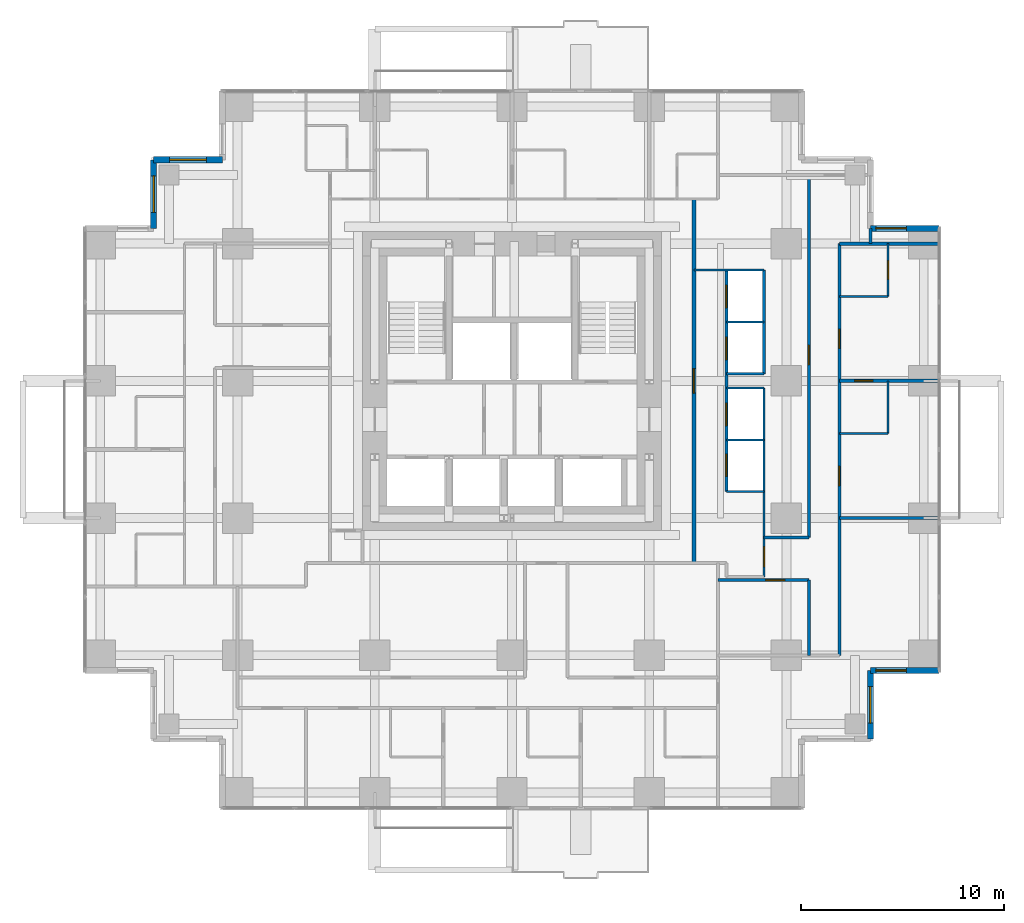
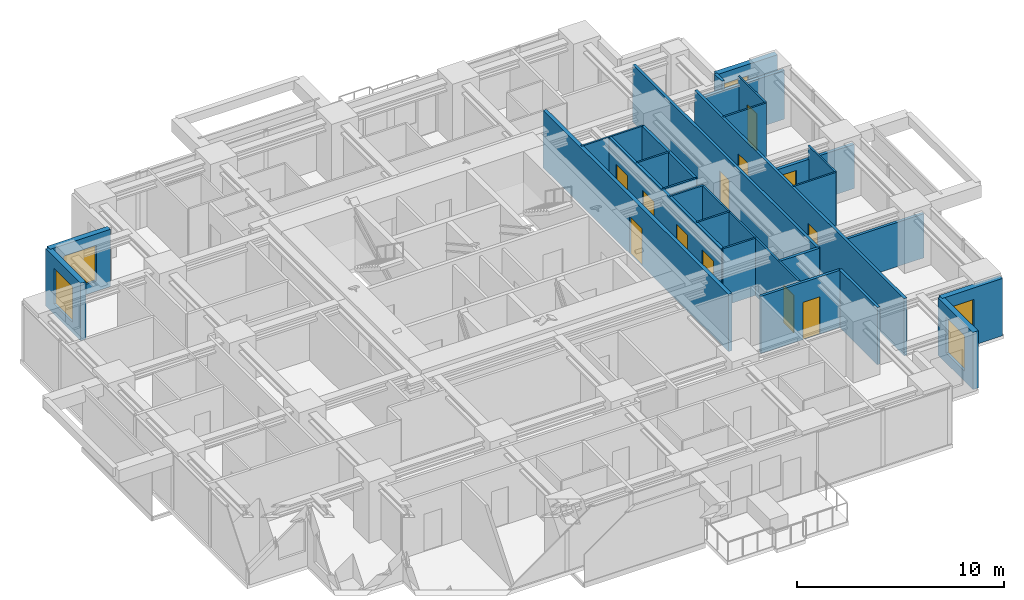
# One storey, part 9 of 12: 28 walls, 12 doors, 5 windows, 17 openings.
"""IFC4 building model written with IfcOpenShell, lengths in metres."""

from ifc_helpers import new_model, si_unit, direction, frame, frame_2d, origin, place, context, subcontext, project, spatial, rectangle, extrude, material, layer, layer_set, type_object, element, fill, save


model = new_model("IFC4")

# Units and contexts
model_context = context("Model", 3, precision=1e-05, world=origin(), true_north=direction((0.0, 1.0)))
body_context = subcontext(model_context, "Body", "Model", "MODEL_VIEW")
ifc_project = project(units=[si_unit("LENGTHUNIT", "METRE"), si_unit("AREAUNIT", "SQUARE_METRE"), si_unit("VOLUMEUNIT", "CUBIC_METRE"), si_unit("PLANEANGLEUNIT", "RADIAN"), si_unit("MASSUNIT", "GRAM", prefix="KILO")], contexts=[model_context])

# Site, building, storey
site_placement = place(None, origin())
site = spatial("IfcSite", under=ifc_project, at=site_placement, CompositionType="ELEMENT")
building_placement = place(site_placement, origin())
building = spatial("IfcBuilding", under=site, at=building_placement, Name="Nyansa Garden Tower", CompositionType="ELEMENT")
storey_placement = place(building_placement, frame((0.0, 0.0, 112.5)))
storey = spatial("IfcBuildingStorey", under=building, at=storey_placement, Name="L30", CompositionType="ELEMENT", Elevation=112.5)

# Wall, opening, door
ifc_material_1 = material(Name="Dense blockwork, plastered both sides, 55 dB", Category="masonry")
ifc_layer_1 = layer(ifc_material_1, 0.175048828125)
ifc_layer_set_1 = layer_set([ifc_layer_1], Name="Acoustic party wall PW175")
wall_type_1 = type_object("IfcWallType", Name="Acoustic party wall PW175", PredefinedType="PARTITIONING", material=ifc_layer_set_1)
wall_1_placement = place(storey_placement, frame((36.35009765625, 20.25, 0.0), z_axis=(0.0, 0.0, 1.0), x_axis=(1.0, 0.0, 0.0)))
wall_1 = element("IfcWall", 1, at=wall_1_placement, inside=storey, type_object=wall_type_1, Name="Party wall", PredefinedType="PARTITIONING", context=body_context, shape_type="SweptSolid", body=[
    extrude(rectangle(XDim=4.8837890625, YDim=0.175048828125, at=frame_2d((2.44189453125, 0.0))), origin(), (0.0, 0.0, 1.0), 2.610107421875),
])
opening_1_placement = place(wall_1_placement, frame((0.75, 0.0, 0.0)))
opening_1 = element("IfcOpeningElement", 2, at=opening_1_placement, cuts=wall_1, Name="Opening D02", PredefinedType="OPENING", context=body_context, shape_type="SweptSolid", body=[
    extrude(rectangle(XDim=0.89990234375, YDim=2.199951171875, at=frame_2d((0.449951171875, 1.10009765625))), frame((0.0, 0.097412109375, 0.0), z_axis=(0.0, -1.0, 0.0), x_axis=(1.0, 0.0, 0.0)), (0.0, 0.0, 1.0), 0.195068359375),
])
ifc_material_2 = material(Name="Timber flush door", Category="wood")
door_type_1 = type_object("IfcDoorType", Name="En-suite door D02 900x2200", OperationType="SINGLE_SWING_RIGHT", PredefinedType="DOOR", material=ifc_material_2)
door_1_placement = place(opening_1_placement, origin())
door_1 = element("IfcDoor", 3, at=door_1_placement, inside=storey, type_object=door_type_1, Name="Door L30-032", OperationType="SINGLE_SWING_RIGHT", OverallHeight=2.199951171875, OverallWidth=0.89990234375, PredefinedType="DOOR", context=body_context, shape_type="SweptSolid", body=[
    extrude(rectangle(XDim=0.89990234375, YDim=2.199951171875, at=frame_2d((0.449951171875, 1.10009765625))), frame((0.0, 0.02490234375, 0.0), z_axis=(0.0, -1.0, 0.0), x_axis=(1.0, 0.0, 0.0)), (0.0, 0.0, 1.0), 0.050048828125),
])
fill(opening_1, door_1)

# Wall
wall_2_placement = place(storey_placement, frame((36.35009765625, 27.0, 0.0), z_axis=(0.0, 0.0, 1.0), x_axis=(1.0, 0.0, 0.0)))
element("IfcWall", 4, at=wall_2_placement, inside=storey, type_object=wall_type_1, Name="Party wall", PredefinedType="PARTITIONING", context=body_context, shape_type="SweptSolid", body=[
    extrude(rectangle(XDim=4.8837890625, YDim=0.175048828125, at=frame_2d((2.44189453125, 0.0))), origin(), (0.0, 0.0, 1.0), 2.876953125),
])

# Wall, opening, door
ifc_material_3 = material(Name="Concrete blockwork, plastered, 60 minute fire resisting", Category="masonry")
ifc_layer_2 = layer(ifc_material_3, 0.199951171875)
ifc_layer_set_2 = layer_set([ifc_layer_2], Name="Corridor wall FW200")
wall_type_2 = type_object("IfcWallType", Name="Corridor wall FW200", PredefinedType="PARTITIONING", material=ifc_layer_set_2)
wall_3_placement = place(storey_placement, frame((29.199951171875, 11.300048828125, 0.0), z_axis=(0.0, 0.0, 1.0), x_axis=(0.0, 1.0, 0.0)))
wall_3 = element("IfcWall", 5, at=wall_3_placement, inside=storey, type_object=wall_type_2, Name="Corridor wall", PredefinedType="PARTITIONING", context=body_context, shape_type="SweptSolid", body=[
    extrude(rectangle(XDim=17.89990234375, YDim=0.199951171875, at=frame_2d((8.949951171875, 0.0))), origin(), (0.0, 0.0, 1.0), 3.375),
])
opening_2_placement = place(wall_3_placement, frame((8.35009765625, 0.0, 0.0)))
opening_2 = element("IfcOpeningElement", 6, at=opening_2_placement, cuts=wall_3, Name="Opening D06", PredefinedType="OPENING", context=body_context, shape_type="SweptSolid", body=[
    extrude(rectangle(XDim=1.199951171875, YDim=2.199951171875, at=frame_2d((0.60009765625, 1.10009765625))), frame((0.0, 0.10986328125, 0.0), z_axis=(0.0, -1.0, 0.0), x_axis=(1.0, 0.0, 0.0)), (0.0, 0.0, 1.0), 0.219970703125),
])
ifc_material_4 = material(Name="Steel door, 120 minute fire resisting", Category="steel")
door_type_2 = type_object("IfcDoorType", Name="Lobby door D06 1200x2200", OperationType="DOUBLE_DOOR_SINGLE_SWING", PredefinedType="DOOR", material=ifc_material_4)
door_2_placement = place(opening_2_placement, origin())
door_2 = element("IfcDoor", 7, at=door_2_placement, inside=storey, type_object=door_type_2, Name="Low-rise lift lobby door", OperationType="DOUBLE_DOOR_SINGLE_SWING", OverallHeight=2.199951171875, OverallWidth=1.199951171875, PredefinedType="DOOR", context=body_context, shape_type="SweptSolid", body=[
    extrude(rectangle(XDim=1.199951171875, YDim=2.199951171875, at=frame_2d((0.60009765625, 1.10009765625))), frame((0.0, 0.02490234375, 0.0), z_axis=(0.0, -1.0, 0.0), x_axis=(1.0, 0.0, 0.0)), (0.0, 0.0, 1.0), 0.050048828125),
])
fill(opening_2, door_2)

# Walls
ifc_material_5 = material(Name="Steel-stud shaft wall, two layers fire-rated board, EI 120", Category="steel")
ifc_layer_3 = layer(ifc_material_5, 0.10009765625)
ifc_layer_set_3 = layer_set([ifc_layer_3], Name="Lift shaft wall SW100")
wall_type_3 = type_object("IfcWallType", Name="Lift shaft wall SW100", PredefinedType="SHEAR", material=ifc_layer_set_3)
wall_4_placement = place(storey_placement, frame((29.199951171875, 25.699951171875, 0.0), z_axis=(0.0, 0.0, 1.0), x_axis=(1.0, 0.0, 0.0)))
element("IfcWall", 8, at=wall_4_placement, inside=storey, type_object=wall_type_3, Name="Lift shaft wall", PredefinedType="SHEAR", context=body_context, shape_type="SweptSolid", body=[
    extrude(rectangle(XDim=3.449951171875, YDim=0.10009765625, at=frame_2d((1.72509765625, 0.0))), origin(), (0.0, 0.0, 1.0), 3.375),
])
for number, where, z_axis, x_axis, name in (
    (9, (30.800048828125, 14.800048828125, 0.0), (0.0, 0.0, 1.0), (1.0, 0.0, 0.0), "Lift shaft wall"),
    (10, (30.800048828125, 17.35009765625, 0.0), (0.0, 0.0, 1.0), (1.0, 0.0, 0.0), "Lift shaft wall"),
    (11, (30.800048828125, 19.89990234375, 0.0), (0.0, 0.0, 1.0), (1.0, 0.0, 0.0), "Lift shaft wall"),
    (12, (30.800048828125, 20.60009765625, 0.0), (0.0, 0.0, 1.0), (1.0, 0.0, 0.0), "Lift shaft wall"),
    (13, (30.800048828125, 23.14990234375, 0.0), (0.0, 0.0, 1.0), (1.0, 0.0, 0.0), "Lift shaft wall"),
):
    element("IfcWall", number, at=place(storey_placement, frame(where, z_axis=z_axis, x_axis=x_axis)), inside=storey, type_object=wall_type_3, Name=name, PredefinedType="SHEAR", context=body_context, shape_type="SweptSolid", body=[
        extrude(rectangle(XDim=1.849853515625, YDim=0.10009765625, at=frame_2d((0.9248046875, 0.0))), origin(), (0.0, 0.0, 1.0), 3.375),
    ])

# Wall, opening, door
wall_5_placement = place(storey_placement, frame((32.64990234375, 10.60009765625, 0.0), z_axis=(0.0, 0.0, 1.0), x_axis=(0.0, 1.0, 0.0)))
wall_5 = element("IfcWall", 14, at=wall_5_placement, inside=storey, type_object=wall_type_3, Name="Lift shaft wall", PredefinedType="SHEAR", context=body_context, shape_type="SweptSolid", body=[
    extrude(rectangle(XDim=9.2998046875, YDim=0.10009765625, at=frame_2d((4.64990234375, 0.0))), origin(), (0.0, 0.0, 1.0), 3.375),
])
opening_3_placement = place(wall_5_placement, frame((0.5, 0.0, 0.0)))
opening_3 = element("IfcOpeningElement", 15, at=opening_3_placement, cuts=wall_5, Name="Opening D03", PredefinedType="OPENING", context=body_context, shape_type="SweptSolid", body=[
    extrude(rectangle(XDim=1.0, YDim=2.199951171875, at=frame_2d((0.5, 1.10009765625))), frame((0.0, 0.06005859375, 0.0), z_axis=(0.0, -1.0, 0.0), x_axis=(1.0, 0.0, 0.0)), (0.0, 0.0, 1.0), 0.1201171875),
])
ifc_material_6 = material(Name="Timber flush door, 60 minute fire resisting", Category="wood")
door_type_3 = type_object("IfcDoorType", Name="Cluster entrance door D03 1000x2200", OperationType="SINGLE_SWING_LEFT", PredefinedType="DOOR", material=ifc_material_6)
door_3_placement = place(opening_3_placement, origin())
door_3 = element("IfcDoor", 16, at=door_3_placement, inside=storey, type_object=door_type_3, Name="Door L30-033", OperationType="SINGLE_SWING_LEFT", OverallHeight=2.199951171875, OverallWidth=1.0, PredefinedType="DOOR", context=body_context, shape_type="SweptSolid", body=[
    extrude(rectangle(XDim=1.0, YDim=2.199951171875, at=frame_2d((0.5, 1.10009765625))), frame((0.0, 0.02490234375, 0.0), z_axis=(0.0, -1.0, 0.0), x_axis=(1.0, 0.0, 0.0)), (0.0, 0.0, 1.0), 0.050048828125),
])
fill(opening_3, door_3)

ifc_material_7 = material(Name="Blockwork, plastered both sides", Category="masonry")
ifc_layer_4 = layer(ifc_material_7, 0.14990234375)
ifc_layer_set_4 = layer_set([ifc_layer_4], Name="Partition PW150")
wall_type_4 = type_object("IfcWallType", Name="Partition PW150", PredefinedType="PARTITIONING", material=ifc_layer_set_4)
wall_6_placement = place(storey_placement, frame((30.375, 10.449951171875, 0.0), z_axis=(0.0, 0.0, 1.0), x_axis=(1.0, 0.0, 0.0)))
wall_6 = element("IfcWall", 17, at=wall_6_placement, inside=storey, type_object=wall_type_4, Name="Partition", PredefinedType="PARTITIONING", context=body_context, shape_type="SweptSolid", body=[
    extrude(rectangle(XDim=4.47509765625, YDim=0.14990234375, at=frame_2d((2.237548828125, 0.0))), origin(), (0.0, 0.0, 1.0), 3.375),
])
opening_4_placement = place(wall_6_placement, frame((2.35009765625, 0.0, 0.0)))
opening_4 = element("IfcOpeningElement", 18, at=opening_4_placement, cuts=wall_6, Name="Opening D01", PredefinedType="OPENING", context=body_context, shape_type="SweptSolid", body=[
    extrude(rectangle(XDim=0.949951171875, YDim=2.199951171875, at=frame_2d((0.47509765625, 1.10009765625))), frame((0.0, 0.0849609375, 0.0), z_axis=(0.0, -1.0, 0.0), x_axis=(1.0, 0.0, 0.0)), (0.0, 0.0, 1.0), 0.169921875),
])
ifc_material_8 = material(Name="Timber flush door, 30 minute fire resisting", Category="wood")
door_type_4 = type_object("IfcDoorType", Name="Bedroom door D01 950x2200", OperationType="SINGLE_SWING_LEFT", PredefinedType="DOOR", material=ifc_material_8)
door_4_placement = place(opening_4_placement, origin())
door_4 = element("IfcDoor", 19, at=door_4_placement, inside=storey, type_object=door_type_4, Name="Door L30-035", OperationType="SINGLE_SWING_LEFT", OverallHeight=2.199951171875, OverallWidth=0.949951171875, PredefinedType="DOOR", context=body_context, shape_type="SweptSolid", body=[
    extrude(rectangle(XDim=0.949951171875, YDim=2.199951171875, at=frame_2d((0.47509765625, 1.10009765625))), frame((0.0, 0.02490234375, 0.0), z_axis=(0.0, -1.0, 0.0), x_axis=(1.0, 0.0, 0.0)), (0.0, 0.0, 1.0), 0.050048828125),
])
fill(opening_4, door_4)

# Wall, openings, doors
wall_7_placement = place(storey_placement, frame((30.800048828125, 14.800048828125, 0.0), z_axis=(0.0, 0.0, 1.0), x_axis=(0.0, 1.0, 0.0)))
wall_7 = element("IfcWall", 20, at=wall_7_placement, inside=storey, type_object=wall_type_4, Name="Partition", PredefinedType="PARTITIONING", context=body_context, shape_type="SweptSolid", body=[
    extrude(rectangle(XDim=10.89990234375, YDim=0.14990234375, at=frame_2d((5.449951171875, 0.0))), origin(), (0.0, 0.0, 1.0), 3.375),
])
opening_5_placement = place(wall_7_placement, frame((0.75, 0.0, 0.0)))
opening_5 = element("IfcOpeningElement", 21, at=opening_5_placement, cuts=wall_7, Name="Opening LD-A", PredefinedType="OPENING", context=body_context, shape_type="SweptSolid", body=[
    extrude(rectangle(XDim=1.10009765625, YDim=2.199951171875, at=frame_2d((0.550048828125, 1.10009765625))), frame((0.0, 0.0849609375, 0.0), z_axis=(0.0, -1.0, 0.0), x_axis=(1.0, 0.0, 0.0)), (0.0, 0.0, 1.0), 0.169921875),
])
opening_6_placement = place(wall_7_placement, frame((3.25, 0.0, 0.0)))
opening_6 = element("IfcOpeningElement", 22, at=opening_6_placement, cuts=wall_7, Name="Opening LD-A", PredefinedType="OPENING", context=body_context, shape_type="SweptSolid", body=[
    extrude(rectangle(XDim=1.10009765625, YDim=2.199951171875, at=frame_2d((0.550048828125, 1.10009765625))), frame((0.0, 0.0849609375, 0.0), z_axis=(0.0, -1.0, 0.0), x_axis=(1.0, 0.0, 0.0)), (0.0, 0.0, 1.0), 0.169921875),
])
opening_7_placement = place(wall_7_placement, frame((6.5, 0.0, 0.0)))
opening_7 = element("IfcOpeningElement", 23, at=opening_7_placement, cuts=wall_7, Name="Opening LD-A", PredefinedType="OPENING", context=body_context, shape_type="SweptSolid", body=[
    extrude(rectangle(XDim=1.10009765625, YDim=2.199951171875, at=frame_2d((0.550048828125, 1.10009765625))), frame((0.0, 0.0849609375, 0.0), z_axis=(0.0, -1.0, 0.0), x_axis=(1.0, 0.0, 0.0)), (0.0, 0.0, 1.0), 0.169921875),
])
opening_8_placement = place(wall_7_placement, frame((9.050048828125, 0.0, 0.0)))
opening_8 = element("IfcOpeningElement", 24, at=opening_8_placement, cuts=wall_7, Name="Opening LD-A", PredefinedType="OPENING", context=body_context, shape_type="SweptSolid", body=[
    extrude(rectangle(XDim=1.10009765625, YDim=2.199951171875, at=frame_2d((0.550048828125, 1.10009765625))), frame((0.0, 0.0849609375, 0.0), z_axis=(0.0, -1.0, 0.0), x_axis=(1.0, 0.0, 0.0)), (0.0, 0.0, 1.0), 0.169921875),
])
ifc_material_9 = material(Name="Stainless steel centre-opening landing door of the low-rise lift, E 120", Category="steel")
door_type_5 = type_object("IfcDoorType", Name="Lift landing door LD-A 1100x2200", OperationType="DOUBLE_DOOR_SLIDING", PredefinedType="DOOR", material=ifc_material_9)
door_5_placement = place(opening_5_placement, origin())
door_5 = element("IfcDoor", 25, at=door_5_placement, inside=storey, type_object=door_type_5, Name="Landing door A1", OperationType="DOUBLE_DOOR_SLIDING", OverallHeight=2.199951171875, OverallWidth=1.10009765625, PredefinedType="DOOR", context=body_context, shape_type="SweptSolid", body=[
    extrude(rectangle(XDim=1.10009765625, YDim=2.199951171875, at=frame_2d((0.550048828125, 1.10009765625))), frame((0.0, 0.02490234375, 0.0), z_axis=(0.0, -1.0, 0.0), x_axis=(1.0, 0.0, 0.0)), (0.0, 0.0, 1.0), 0.050048828125),
])
fill(opening_5, door_5)
door_6_placement = place(opening_6_placement, origin())
door_6 = element("IfcDoor", 26, at=door_6_placement, inside=storey, type_object=door_type_5, Name="Landing door A2", OperationType="DOUBLE_DOOR_SLIDING", OverallHeight=2.199951171875, OverallWidth=1.10009765625, PredefinedType="DOOR", context=body_context, shape_type="SweptSolid", body=[
    extrude(rectangle(XDim=1.10009765625, YDim=2.199951171875, at=frame_2d((0.550048828125, 1.10009765625))), frame((0.0, 0.02490234375, 0.0), z_axis=(0.0, -1.0, 0.0), x_axis=(1.0, 0.0, 0.0)), (0.0, 0.0, 1.0), 0.050048828125),
])
fill(opening_6, door_6)
door_7_placement = place(opening_7_placement, origin())
door_7 = element("IfcDoor", 27, at=door_7_placement, inside=storey, type_object=door_type_5, Name="Landing door A3", OperationType="DOUBLE_DOOR_SLIDING", OverallHeight=2.199951171875, OverallWidth=1.10009765625, PredefinedType="DOOR", context=body_context, shape_type="SweptSolid", body=[
    extrude(rectangle(XDim=1.10009765625, YDim=2.199951171875, at=frame_2d((0.550048828125, 1.10009765625))), frame((0.0, 0.02490234375, 0.0), z_axis=(0.0, -1.0, 0.0), x_axis=(1.0, 0.0, 0.0)), (0.0, 0.0, 1.0), 0.050048828125),
])
fill(opening_7, door_7)
door_8_placement = place(opening_8_placement, origin())
door_8 = element("IfcDoor", 28, at=door_8_placement, inside=storey, type_object=door_type_5, Name="Landing door A4", OperationType="DOUBLE_DOOR_SLIDING", OverallHeight=2.199951171875, OverallWidth=1.10009765625, PredefinedType="DOOR", context=body_context, shape_type="SweptSolid", body=[
    extrude(rectangle(XDim=1.10009765625, YDim=2.199951171875, at=frame_2d((0.550048828125, 1.10009765625))), frame((0.0, 0.02490234375, 0.0), z_axis=(0.0, -1.0, 0.0), x_axis=(1.0, 0.0, 0.0)), (0.0, 0.0, 1.0), 0.050048828125),
])
fill(opening_8, door_8)

# Walls
wall_8_placement = place(storey_placement, frame((32.64990234375, 12.550048828125, 0.0), z_axis=(0.0, 0.0, 1.0), x_axis=(1.0, 0.0, 0.0)))
element("IfcWall", 29, at=wall_8_placement, inside=storey, type_object=wall_type_4, Name="Partition", PredefinedType="PARTITIONING", context=body_context, shape_type="SweptSolid", body=[
    extrude(rectangle(XDim=2.2001953125, YDim=0.14990234375, at=frame_2d((1.10009765625, 0.0))), origin(), (0.0, 0.0, 1.0), 3.375),
])
wall_9_placement = place(storey_placement, frame((32.64990234375, 20.60009765625, 0.0), z_axis=(0.0, 0.0, 1.0), x_axis=(0.0, 1.0, 0.0)))
element("IfcWall", 30, at=wall_9_placement, inside=storey, type_object=wall_type_4, Name="Partition", PredefinedType="PARTITIONING", context=body_context, shape_type="SweptSolid", body=[
    extrude(rectangle(XDim=5.099853515625, YDim=0.14990234375, at=frame_2d((2.5498046875, 0.0))), origin(), (0.0, 0.0, 1.0), 3.375),
])
wall_10_placement = place(storey_placement, frame((34.85009765625, 6.75, 0.0), z_axis=(0.0, 0.0, 1.0), x_axis=(0.0, 1.0, 0.0)))
element("IfcWall", 31, at=wall_10_placement, inside=storey, type_object=wall_type_4, Name="Partition", PredefinedType="PARTITIONING", context=body_context, shape_type="SweptSolid", body=[
    extrude(rectangle(XDim=3.699951171875, YDim=0.14990234375, at=frame_2d((1.85009765625, 0.0))), origin(), (0.0, 0.0, 1.0), 3.375),
])

# Wall, opening, door
wall_11_placement = place(storey_placement, frame((34.85009765625, 12.550048828125, 0.0), z_axis=(0.0, 0.0, 1.0), x_axis=(0.0, 1.0, 0.0)))
wall_11 = element("IfcWall", 32, at=wall_11_placement, inside=storey, type_object=wall_type_4, Name="Partition", PredefinedType="PARTITIONING", context=body_context, shape_type="SweptSolid", body=[
    extrude(rectangle(XDim=17.824951171875, YDim=0.14990234375, at=frame_2d((8.91259765625, 0.0))), origin(), (0.0, 0.0, 1.0), 3.375),
])
opening_9_placement = place(wall_11_placement, frame((8.5, 0.0, 0.0)))
opening_9 = element("IfcOpeningElement", 33, at=opening_9_placement, cuts=wall_11, Name="Opening D01", PredefinedType="OPENING", context=body_context, shape_type="SweptSolid", body=[
    extrude(rectangle(XDim=0.949951171875, YDim=2.199951171875, at=frame_2d((0.47509765625, 1.10009765625))), frame((0.0, 0.0849609375, 0.0), z_axis=(0.0, -1.0, 0.0), x_axis=(1.0, 0.0, 0.0)), (0.0, 0.0, 1.0), 0.169921875),
])
door_9_placement = place(opening_9_placement, origin())
door_9 = element("IfcDoor", 34, at=door_9_placement, inside=storey, type_object=door_type_4, Name="Door L30-034", OperationType="SINGLE_SWING_LEFT", OverallHeight=2.199951171875, OverallWidth=0.949951171875, PredefinedType="DOOR", context=body_context, shape_type="SweptSolid", body=[
    extrude(rectangle(XDim=0.949951171875, YDim=2.199951171875, at=frame_2d((0.47509765625, 1.10009765625))), frame((0.0, 0.02490234375, 0.0), z_axis=(0.0, -1.0, 0.0), x_axis=(1.0, 0.0, 0.0)), (0.0, 0.0, 1.0), 0.050048828125),
])
fill(opening_9, door_9)

# Wall, openings, doors
wall_12_placement = place(storey_placement, frame((36.35009765625, 6.75, 0.0), z_axis=(0.0, 0.0, 1.0), x_axis=(0.0, 1.0, 0.0)))
wall_12 = element("IfcWall", 35, at=wall_12_placement, inside=storey, type_object=wall_type_4, Name="Partition", PredefinedType="PARTITIONING", context=body_context, shape_type="SweptSolid", body=[
    extrude(rectangle(XDim=20.25, YDim=0.14990234375, at=frame_2d((10.125, 0.0))), origin(), (0.0, 0.0, 1.0), 3.375),
])
opening_10_placement = place(wall_12_placement, frame((15.10009765625, 0.0, 0.0)))
opening_10 = element("IfcOpeningElement", 36, at=opening_10_placement, cuts=wall_12, Name="Opening D14", PredefinedType="OPENING", context=body_context, shape_type="SweptSolid", body=[
    extrude(rectangle(XDim=0.949951171875, YDim=2.199951171875, at=frame_2d((0.47509765625, 1.10009765625))), frame((0.0, 0.0849609375, 0.0), z_axis=(0.0, -1.0, 0.0), x_axis=(1.0, 0.0, 0.0)), (0.0, 0.0, 1.0), 0.169921875),
])
opening_11_placement = place(wall_12_placement, frame((8.35009765625, 0.0, 0.0)))
opening_11 = element("IfcOpeningElement", 37, at=opening_11_placement, cuts=wall_12, Name="Opening D14", PredefinedType="OPENING", context=body_context, shape_type="SweptSolid", body=[
    extrude(rectangle(XDim=0.949951171875, YDim=2.199951171875, at=frame_2d((0.47509765625, 1.10009765625))), frame((0.0, 0.0849609375, 0.0), z_axis=(0.0, -1.0, 0.0), x_axis=(1.0, 0.0, 0.0)), (0.0, 0.0, 1.0), 0.169921875),
])
ifc_material_10 = material(Name="Timber flush door, 60 minute fire resisting, self-closing", Category="wood")
door_type_6 = type_object("IfcDoorType", Name="Studio entrance door D14 950x2200", OperationType="SINGLE_SWING_LEFT", PredefinedType="DOOR", material=ifc_material_10)
door_10_placement = place(opening_10_placement, origin())
door_10 = element("IfcDoor", 38, at=door_10_placement, inside=storey, type_object=door_type_6, Name="Door L30-029", OperationType="SINGLE_SWING_LEFT", OverallHeight=2.199951171875, OverallWidth=0.949951171875, PredefinedType="DOOR", context=body_context, shape_type="SweptSolid", body=[
    extrude(rectangle(XDim=0.949951171875, YDim=2.199951171875, at=frame_2d((0.47509765625, 1.10009765625))), frame((0.0, 0.02490234375, 0.0), z_axis=(0.0, -1.0, 0.0), x_axis=(1.0, 0.0, 0.0)), (0.0, 0.0, 1.0), 0.050048828125),
])
fill(opening_10, door_10)
door_11_placement = place(opening_11_placement, origin())
door_11 = element("IfcDoor", 39, at=door_11_placement, inside=storey, type_object=door_type_6, Name="Door L30-031", OperationType="SINGLE_SWING_LEFT", OverallHeight=2.199951171875, OverallWidth=0.949951171875, PredefinedType="DOOR", context=body_context, shape_type="SweptSolid", body=[
    extrude(rectangle(XDim=0.949951171875, YDim=2.199951171875, at=frame_2d((0.47509765625, 1.10009765625))), frame((0.0, 0.02490234375, 0.0), z_axis=(0.0, -1.0, 0.0), x_axis=(1.0, 0.0, 0.0)), (0.0, 0.0, 1.0), 0.050048828125),
])
fill(opening_11, door_11)

# Walls
wall_13_placement = place(storey_placement, frame((36.35009765625, 13.5, 0.0), z_axis=(0.0, 0.0, 1.0), x_axis=(1.0, 0.0, 0.0)))
element("IfcWall", 40, at=wall_13_placement, inside=storey, type_object=wall_type_4, Name="Partition", PredefinedType="PARTITIONING", context=body_context, shape_type="SweptSolid", body=[
    extrude(rectangle(XDim=4.8837890625, YDim=0.14990234375, at=frame_2d((2.44189453125, 0.0))), origin(), (0.0, 0.0, 1.0), 2.610107421875),
])
wall_14_placement = place(storey_placement, frame((37.875, 27.0, 0.0), z_axis=(0.0, 0.0, 1.0), x_axis=(0.0, 1.0, 0.0)))
element("IfcWall", 41, at=wall_14_placement, inside=storey, type_object=wall_type_4, Name="Partition", PredefinedType="PARTITIONING", context=body_context, shape_type="SweptSolid", body=[
    extrude(rectangle(XDim=0.73388671875, YDim=0.14990234375, at=frame_2d((0.366943359375, 0.0))), origin(), (0.0, 0.0, 1.0), 3.375),
])

# Wall, opening, window
ifc_material_11 = material(Name="Turquoise glazed tile on concrete blockwork", Category="masonry")
ifc_layer_5 = layer(ifc_material_11, 0.300048828125)
ifc_layer_set_5 = layer_set([ifc_layer_5], Name="Tiled corner wall TW300")
wall_type_5 = type_object("IfcWallType", Name="Tiled corner wall TW300", PredefinedType="SOLIDWALL", material=ifc_layer_set_5)
wall_15_placement = place(storey_placement, frame((41.25, 27.75, 0.0), z_axis=(0.0, 0.0, 1.0), x_axis=(-1.0, 0.0, 0.0)))
wall_15 = element("IfcWall", 42, at=wall_15_placement, inside=storey, type_object=wall_type_5, Name="Tiled corner wall L30", PredefinedType="SOLIDWALL", context=body_context, shape_type="SweptSolid", body=[
    extrude(rectangle(XDim=3.375, YDim=0.300048828125, at=frame_2d((1.6875, 0.0))), origin(), (0.0, 0.0, 1.0), 3.375),
])
opening_12_placement = place(wall_15_placement, frame((1.607421875, 0.0, 0.89990234375)))
opening_12 = element("IfcOpeningElement", 43, at=opening_12_placement, cuts=wall_15, Name="Opening W1", PredefinedType="OPENING", context=body_context, shape_type="SweptSolid", body=[
    extrude(rectangle(XDim=1.5, YDim=1.800048828125, at=frame_2d((0.75, 0.89990234375))), frame((0.0, 0.159912109375, 0.0), z_axis=(0.0, -1.0, 0.0), x_axis=(1.0, 0.0, 0.0)), (0.0, 0.0, 1.0), 0.320068359375),
])
ifc_material_12 = material(Name="Black aluminium frame, dark tinted double glazing", Category="aluminium")
window_type_1 = type_object("IfcWindowType", Name="Window W1 1500x1800", PartitioningType="SINGLE_PANEL", PredefinedType="WINDOW", material=ifc_material_12)
window_1_placement = place(opening_12_placement, origin())
window_1 = element("IfcWindow", 44, at=window_1_placement, inside=storey, type_object=window_type_1, Name="Corner window L30", OverallHeight=1.800048828125, OverallWidth=1.5, PartitioningType="SINGLE_PANEL", PredefinedType="WINDOW", context=body_context, shape_type="SweptSolid", body=[
    extrude(rectangle(XDim=1.5, YDim=1.800048828125, at=frame_2d((0.75, 0.89990234375))), frame((0.0, 0.030029296875, 0.0), z_axis=(0.0, -1.0, 0.0), x_axis=(1.0, 0.0, 0.0)), (0.0, 0.0, 1.0), 0.06005859375),
])
fill(opening_12, window_1)

wall_16_placement = place(storey_placement, frame((6.0, 31.125, 0.0), z_axis=(0.0, 0.0, 1.0), x_axis=(-1.0, 0.0, 0.0)))
wall_16 = element("IfcWall", 45, at=wall_16_placement, inside=storey, type_object=wall_type_5, Name="Tiled corner wall L30", PredefinedType="SOLIDWALL", context=body_context, shape_type="SweptSolid", body=[
    extrude(rectangle(XDim=3.375, YDim=0.300048828125, at=frame_2d((1.6875, 0.0))), origin(), (0.0, 0.0, 1.0), 3.375),
])
opening_13_placement = place(wall_16_placement, frame((0.78759765625, 0.0, 0.60009765625)))
opening_13 = element("IfcOpeningElement", 46, at=opening_13_placement, cuts=wall_16, Name="Opening W2", PredefinedType="OPENING", context=body_context, shape_type="SweptSolid", body=[
    extrude(rectangle(XDim=1.800048828125, YDim=2.10009765625, at=frame_2d((0.89990234375, 1.050048828125))), frame((0.0, 0.159912109375, 0.0), z_axis=(0.0, -1.0, 0.0), x_axis=(1.0, 0.0, 0.0)), (0.0, 0.0, 1.0), 0.320068359375),
])
ifc_material_13 = material(Name="Black aluminium frame, dark tinted double glazing", Category="aluminium")
window_type_2 = type_object("IfcWindowType", Name="Window W2 1800x2100", PartitioningType="SINGLE_PANEL", PredefinedType="WINDOW", material=ifc_material_13)
window_2_placement = place(opening_13_placement, origin())
window_2 = element("IfcWindow", 47, at=window_2_placement, inside=storey, type_object=window_type_2, Name="Corner window L30", OverallHeight=2.10009765625, OverallWidth=1.800048828125, PartitioningType="SINGLE_PANEL", PredefinedType="WINDOW", context=body_context, shape_type="SweptSolid", body=[
    extrude(rectangle(XDim=1.800048828125, YDim=2.10009765625, at=frame_2d((0.89990234375, 1.050048828125))), frame((0.0, 0.030029296875, 0.0), z_axis=(0.0, -1.0, 0.0), x_axis=(1.0, 0.0, 0.0)), (0.0, 0.0, 1.0), 0.06005859375),
])
fill(opening_13, window_2)

wall_17_placement = place(storey_placement, frame((2.625, 31.125, 0.0), z_axis=(0.0, 0.0, 1.0), x_axis=(0.0, -1.0, 0.0)))
wall_17 = element("IfcWall", 48, at=wall_17_placement, inside=storey, type_object=wall_type_5, Name="Tiled corner wall L30", PredefinedType="SOLIDWALL", context=body_context, shape_type="SweptSolid", body=[
    extrude(rectangle(XDim=3.375, YDim=0.300048828125, at=frame_2d((1.6875, 0.0))), origin(), (0.0, 0.0, 1.0), 3.375),
])
opening_14_placement = place(wall_17_placement, frame((0.78759765625, 0.0, 0.60009765625)))
opening_14 = element("IfcOpeningElement", 49, at=opening_14_placement, cuts=wall_17, Name="Opening W2", PredefinedType="OPENING", context=body_context, shape_type="SweptSolid", body=[
    extrude(rectangle(XDim=1.800048828125, YDim=2.10009765625, at=frame_2d((0.89990234375, 1.050048828125))), frame((0.0, 0.159912109375, 0.0), z_axis=(0.0, -1.0, 0.0), x_axis=(1.0, 0.0, 0.0)), (0.0, 0.0, 1.0), 0.320068359375),
])
window_3_placement = place(opening_14_placement, origin())
window_3 = element("IfcWindow", 50, at=window_3_placement, inside=storey, type_object=window_type_2, Name="Corner window L30", OverallHeight=2.10009765625, OverallWidth=1.800048828125, PartitioningType="SINGLE_PANEL", PredefinedType="WINDOW", context=body_context, shape_type="SweptSolid", body=[
    extrude(rectangle(XDim=1.800048828125, YDim=2.10009765625, at=frame_2d((0.89990234375, 1.050048828125))), frame((0.0, 0.030029296875, 0.0), z_axis=(0.0, -1.0, 0.0), x_axis=(1.0, 0.0, 0.0)), (0.0, 0.0, 1.0), 0.06005859375),
])
fill(opening_14, window_3)

wall_18_placement = place(storey_placement, frame((37.875, 2.625, 0.0), z_axis=(0.0, 0.0, 1.0), x_axis=(0.0, 1.0, 0.0)))
wall_18 = element("IfcWall", 51, at=wall_18_placement, inside=storey, type_object=wall_type_5, Name="Tiled corner wall L30", PredefinedType="SOLIDWALL", context=body_context, shape_type="SweptSolid", body=[
    extrude(rectangle(XDim=3.375, YDim=0.300048828125, at=frame_2d((1.6875, 0.0))), origin(), (0.0, 0.0, 1.0), 3.375),
])
opening_15_placement = place(wall_18_placement, frame((0.78759765625, 0.0, 0.60009765625)))
opening_15 = element("IfcOpeningElement", 52, at=opening_15_placement, cuts=wall_18, Name="Opening W2", PredefinedType="OPENING", context=body_context, shape_type="SweptSolid", body=[
    extrude(rectangle(XDim=1.800048828125, YDim=2.10009765625, at=frame_2d((0.89990234375, 1.050048828125))), frame((0.0, 0.159912109375, 0.0), z_axis=(0.0, -1.0, 0.0), x_axis=(1.0, 0.0, 0.0)), (0.0, 0.0, 1.0), 0.320068359375),
])
window_4_placement = place(opening_15_placement, origin())
window_4 = element("IfcWindow", 53, at=window_4_placement, inside=storey, type_object=window_type_2, Name="Corner window L30", OverallHeight=2.10009765625, OverallWidth=1.800048828125, PartitioningType="SINGLE_PANEL", PredefinedType="WINDOW", context=body_context, shape_type="SweptSolid", body=[
    extrude(rectangle(XDim=1.800048828125, YDim=2.10009765625, at=frame_2d((0.89990234375, 1.050048828125))), frame((0.0, 0.030029296875, 0.0), z_axis=(0.0, -1.0, 0.0), x_axis=(1.0, 0.0, 0.0)), (0.0, 0.0, 1.0), 0.06005859375),
])
fill(opening_15, window_4)

wall_19_placement = place(storey_placement, frame((37.875, 6.0, 0.0), z_axis=(0.0, 0.0, 1.0), x_axis=(1.0, 0.0, 0.0)))
wall_19 = element("IfcWall", 54, at=wall_19_placement, inside=storey, type_object=wall_type_5, Name="Tiled corner wall L30", PredefinedType="SOLIDWALL", context=body_context, shape_type="SweptSolid", body=[
    extrude(rectangle(XDim=3.375, YDim=0.300048828125, at=frame_2d((1.6875, 0.0))), origin(), (0.0, 0.0, 1.0), 3.375),
])
opening_16_placement = place(wall_19_placement, frame((0.267578125, 0.0, 0.89990234375)))
opening_16 = element("IfcOpeningElement", 55, at=opening_16_placement, cuts=wall_19, Name="Opening W1", PredefinedType="OPENING", context=body_context, shape_type="SweptSolid", body=[
    extrude(rectangle(XDim=1.5, YDim=1.800048828125, at=frame_2d((0.75, 0.89990234375))), frame((0.0, 0.159912109375, 0.0), z_axis=(0.0, -1.0, 0.0), x_axis=(1.0, 0.0, 0.0)), (0.0, 0.0, 1.0), 0.320068359375),
])
window_5_placement = place(opening_16_placement, origin())
window_5 = element("IfcWindow", 56, at=window_5_placement, inside=storey, type_object=window_type_1, Name="Corner window L30", OverallHeight=1.800048828125, OverallWidth=1.5, PartitioningType="SINGLE_PANEL", PredefinedType="WINDOW", context=body_context, shape_type="SweptSolid", body=[
    extrude(rectangle(XDim=1.5, YDim=1.800048828125, at=frame_2d((0.75, 0.89990234375))), frame((0.0, 0.030029296875, 0.0), z_axis=(0.0, -1.0, 0.0), x_axis=(1.0, 0.0, 0.0)), (0.0, 0.0, 1.0), 0.06005859375),
])
fill(opening_16, window_5)

# Walls
ifc_material_14 = material(Name="Moisture resistant board on steel studs, tiled", Category="steel")
ifc_layer_6 = layer(ifc_material_14, 0.10009765625)
ifc_layer_set_6 = layer_set([ifc_layer_6], Name="Wet wall PW100")
wall_type_6 = type_object("IfcWallType", Name="Wet wall PW100", PredefinedType="PARTITIONING", material=ifc_layer_set_6)
for number, where, z_axis, x_axis, name in (
    (57, (36.35009765625, 17.64990234375, 0.0), (0.0, 0.0, 1.0), (1.0, 0.0, 0.0), "Wet wall"),
    (58, (36.35009765625, 24.39990234375, 0.0), (0.0, 0.0, 1.0), (1.0, 0.0, 0.0), "Wet wall"),
):
    element("IfcWall", number, at=place(storey_placement, frame(where, z_axis=z_axis, x_axis=x_axis)), inside=storey, type_object=wall_type_6, Name=name, PredefinedType="PARTITIONING", context=body_context, shape_type="SweptSolid", body=[
        extrude(rectangle(XDim=2.39990234375, YDim=0.10009765625, at=frame_2d((1.199951171875, 0.0))), origin(), (0.0, 0.0, 1.0), 3.375),
    ])
wall_20_placement = place(storey_placement, frame((38.75, 17.64990234375, 0.0), z_axis=(0.0, 0.0, 1.0), x_axis=(0.0, 1.0, 0.0)))
element("IfcWall", 59, at=wall_20_placement, inside=storey, type_object=wall_type_6, Name="Wet wall", PredefinedType="PARTITIONING", context=body_context, shape_type="SweptSolid", body=[
    extrude(rectangle(XDim=2.60009765625, YDim=0.10009765625, at=frame_2d((1.300048828125, 0.0))), origin(), (0.0, 0.0, 1.0), 3.375),
])

# Wall, opening, door
wall_21_placement = place(storey_placement, frame((38.75, 24.39990234375, 0.0), z_axis=(0.0, 0.0, 1.0), x_axis=(0.0, 1.0, 0.0)))
wall_21 = element("IfcWall", 60, at=wall_21_placement, inside=storey, type_object=wall_type_6, Name="Wet wall", PredefinedType="PARTITIONING", context=body_context, shape_type="SweptSolid", body=[
    extrude(rectangle(XDim=2.60009765625, YDim=0.10009765625, at=frame_2d((1.300048828125, 0.0))), origin(), (0.0, 0.0, 1.0), 3.375),
])
opening_17_placement = place(wall_21_placement, frame((0.85009765625, 0.0, 0.0)))
opening_17 = element("IfcOpeningElement", 61, at=opening_17_placement, cuts=wall_21, Name="Opening D02", PredefinedType="OPENING", context=body_context, shape_type="SweptSolid", body=[
    extrude(rectangle(XDim=0.89990234375, YDim=2.199951171875, at=frame_2d((0.449951171875, 1.10009765625))), frame((0.0, 0.06005859375, 0.0), z_axis=(0.0, -1.0, 0.0), x_axis=(1.0, 0.0, 0.0)), (0.0, 0.0, 1.0), 0.1201171875),
])
door_12_placement = place(opening_17_placement, origin())
door_12 = element("IfcDoor", 62, at=door_12_placement, inside=storey, type_object=door_type_1, Name="Door L30-030", OperationType="SINGLE_SWING_RIGHT", OverallHeight=2.199951171875, OverallWidth=0.89990234375, PredefinedType="DOOR", context=body_context, shape_type="SweptSolid", body=[
    extrude(rectangle(XDim=0.89990234375, YDim=2.199951171875, at=frame_2d((0.449951171875, 1.10009765625))), frame((0.0, 0.02490234375, 0.0), z_axis=(0.0, -1.0, 0.0), x_axis=(1.0, 0.0, 0.0)), (0.0, 0.0, 1.0), 0.050048828125),
])
fill(opening_17, door_12)

save(model, "model.ifc")
